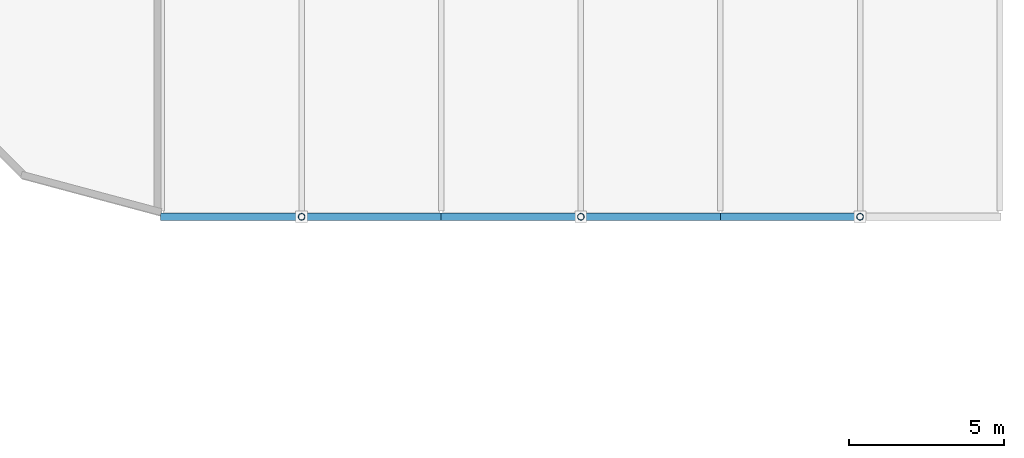
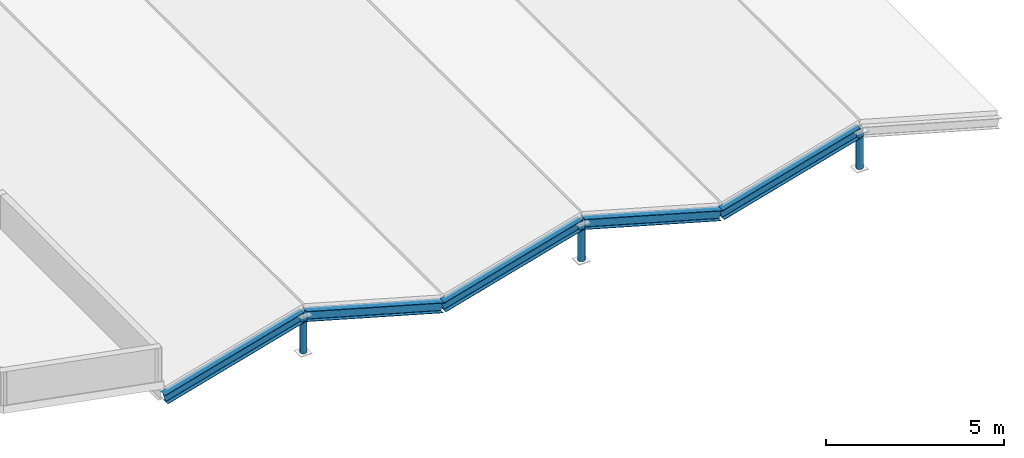
# One storey, part 8 of 40: 8 members.
"""IFC4 building model written with IfcOpenShell, lengths in metres."""

import ifcopenshell
import ifcopenshell.guid

model = None  # the IFC model being written
_history = None  # IfcOwnerHistory: only IFC2X3 demands one
_inside = {}  # id of a spatial element -> (the spatial element, [elements in it])
_under = {}  # id of a project, library or spatial element -> (it, [spatial elements below it])
_declared = {}  # id of a project -> (the project, [libraries it declares])
_typed = {}  # id of a type object -> (the type object, [elements of that type])
_made_of = {}  # id of a material, layer set ... -> (it, [elements and type objects made of it])


def new_model(schema):
    """Start an empty IFC model of exactly this schema.

    Asked for "IFC4X3", IfcOpenShell would pick the latest addendum, in which some entities
    have other attributes; the version numbers below select the first issue.
    IFC2X3 requires an IfcOwnerHistory on every rooted entity: one is made here for all.
    """
    global model, _history
    if schema == "IFC4X3":
        model = ifcopenshell.file(schema_version=(4, 3, 0, 0))
    else:
        model = ifcopenshell.file(schema=schema)
    _inside.clear()
    _under.clear()
    _declared.clear()
    _typed.clear()
    _made_of.clear()
    _history = None
    if model.schema == "IFC2X3":
        org = make("IfcOrganization", Name="unknown")
        user = make(
            "IfcPersonAndOrganization",
            ThePerson=make("IfcPerson", FamilyName="unknown"),
            TheOrganization=org,
        )
        app = make(
            "IfcApplication",
            ApplicationDeveloper=org,
            Version="unknown",
            ApplicationFullName="unknown",
            ApplicationIdentifier="unknown",
        )
        _history = make(
            "IfcOwnerHistory",
            OwningUser=user,
            OwningApplication=app,
            ChangeAction="ADDED",
            CreationDate=0,
        )
    return model


def make(cls, **values):
    """One entity of the class cls with the attributes given. An attribute that is None is left unset."""
    return model.create_entity(
        cls, **{name: value for name, value in values.items() if value is not None}
    )


def rooted(cls, **values):
    """An entity with a GlobalId (a new one), such as an element, a storey or a relation."""
    return make(cls, GlobalId=ifcopenshell.guid.new(), OwnerHistory=_history, **values)


def si_unit(unit_type, name, prefix=None):
    """IfcSIUnit, for example si_unit("LENGTHUNIT", "METRE", prefix="MILLI")."""
    return make("IfcSIUnit", UnitType=unit_type, Prefix=prefix, Name=name)


def assignment(units):
    """IfcUnitAssignment: the units of a project."""
    return None if units is None else make("IfcUnitAssignment", Units=units)


def point(xyz):
    """IfcCartesianPoint."""
    return None if xyz is None else make("IfcCartesianPoint", Coordinates=xyz)


def direction(xyz):
    """IfcDirection."""
    return None if xyz is None else make("IfcDirection", DirectionRatios=xyz)


def frame(location, z_axis=None, x_axis=None):
    """IfcAxis2Placement3D, a coordinate frame: its origin and axes. An axis left out is left unset."""
    return make(
        "IfcAxis2Placement3D",
        Location=point(location),
        Axis=direction(z_axis),
        RefDirection=direction(x_axis),
    )


def frame_2d(location, x_axis=None):
    """IfcAxis2Placement2D, a coordinate frame in the plane: its origin and x axis."""
    return make(
        "IfcAxis2Placement2D", Location=point(location), RefDirection=direction(x_axis)
    )


def origin():
    """The frame at (0, 0, 0) with its axes left unset."""
    return frame((0.0, 0.0, 0.0))


def origin_2d():
    """The frame at (0, 0) in the plane with its x axis left unset."""
    return frame_2d((0.0, 0.0))


def place(relative_to, where):
    """IfcLocalPlacement: puts the frame where relative to a parent placement (None: the world)."""
    return make(
        "IfcLocalPlacement", PlacementRelTo=relative_to, RelativePlacement=where
    )


def context(
    kind, dimensions, precision=None, world=None, true_north=None, identifier=None
):
    """IfcGeometricRepresentationContext, for example the 3D "Model" context."""
    return make(
        "IfcGeometricRepresentationContext",
        ContextIdentifier=identifier,
        ContextType=kind,
        CoordinateSpaceDimension=dimensions,
        Precision=precision,
        WorldCoordinateSystem=world,
        TrueNorth=true_north,
    )


def subcontext(parent, identifier, kind, view, scale=None):
    """IfcGeometricRepresentationSubContext, for example "Body" below "Model"."""
    return make(
        "IfcGeometricRepresentationSubContext",
        ContextIdentifier=identifier,
        ContextType=kind,
        ParentContext=parent,
        TargetScale=scale,
        TargetView=view,
    )


def project(units=None, contexts=None):
    """IfcProject with its units and contexts."""
    return rooted(
        "IfcProject",
        Name="project",
        RepresentationContexts=contexts,
        UnitsInContext=assignment(units),
    )


def spatial(cls, under=None, at=None, **own):
    """A site, building, storey or space (cls), placed at a placement, below another one or the project."""
    s = rooted(cls, ObjectPlacement=at, **own)
    if under is not None:
        _under.setdefault(under.id(), (under, []))[1].append(s)
    return s


def profile(cls, at=None, kind="AREA", **sizes):
    """A parametric profile (cls). Its sizes go by their IFC names, for example OverallWidth=200.0."""
    return make(cls, ProfileType=kind, Position=at, **sizes)


def hollow_circle(**sizes):
    """IfcCircleHollowProfileDef."""
    return profile("IfcCircleHollowProfileDef", **sizes)


def i_section(**sizes):
    """IfcIShapeProfileDef."""
    return profile("IfcIShapeProfileDef", **sizes)


def extrude(swept, where, along, depth):
    """IfcExtrudedAreaSolid: the profile swept, set in the frame where, extruded along a direction by depth."""
    return make(
        "IfcExtrudedAreaSolid",
        SweptArea=swept,
        Position=where,
        ExtrudedDirection=direction(along),
        Depth=depth,
    )


def shape(context_of_items, identifier, shape_type, items):
    """IfcShapeRepresentation: the items that make up one representation, for example the "Body"."""
    return make(
        "IfcShapeRepresentation",
        ContextOfItems=context_of_items,
        RepresentationIdentifier=identifier,
        RepresentationType=shape_type,
        Items=items,
    )


def material(Name=None, Category=None):
    """IfcMaterial."""
    return make("IfcMaterial", Name=Name, Category=Category)


def material_profile(
    of_material, cross_section, Name=None, Category=None, Priority=None
):
    """IfcMaterialProfile: a cross section and its material."""
    return make(
        "IfcMaterialProfile",
        Name=Name,
        Material=of_material,
        Profile=cross_section,
        Priority=Priority,
        Category=Category,
    )


def profile_set(profiles, Name=None, composite=None):
    """IfcMaterialProfileSet."""
    return make(
        "IfcMaterialProfileSet",
        Name=Name,
        MaterialProfiles=profiles,
        CompositeProfile=composite,
    )


def made_of(thing, what):
    """Note that an element or type object is made of a material, layer set ...; save() writes the relation."""
    if what is not None:
        _made_of.setdefault(what.id(), (what, []))[1].append(thing)
    return thing


def type_object(cls, material=None, **own):
    """A type object (cls), such as IfcWallType, which elements share."""
    return made_of(rooted(cls, **own), material)


def element(
    cls,
    number,
    at=None,
    inside=None,
    cuts=None,
    type_object=None,
    material=None,
    context=None,
    identifier="Body",
    shape_type=None,
    held_by="IfcProductDefinitionShape",
    body=None,
    shapes=None,
    **own,
):
    """One element of the class cls, such as IfcWall. Its Tag is "e" and its number.

    at: its placement. inside: the storey or other place that contains it. cuts: it is an
    opening in that element (IfcRelVoidsElement). A single representation is given by context,
    identifier, shape_type and body (its items); several are given by shapes. held_by: the class
    of the entity that holds the representations. save() writes the other relations.
    """
    e = rooted(cls, Tag="e%d" % number, ObjectPlacement=at, **own)
    if body is not None:
        shapes = [shape(context, identifier, shape_type, body)]
    if shapes is not None:
        e.Representation = make(held_by, Representations=shapes)
    if inside is not None:
        _inside.setdefault(inside.id(), (inside, []))[1].append(e)
    if cuts is not None:
        rooted(
            "IfcRelVoidsElement", RelatingBuildingElement=cuts, RelatedOpeningElement=e
        )
    if type_object is not None:
        _typed.setdefault(type_object.id(), (type_object, []))[1].append(e)
    return made_of(e, material)


def aggregate(whole, parts):
    """IfcRelAggregates: a whole, such as a stair, and the parts it consists of."""
    return rooted("IfcRelAggregates", RelatingObject=whole, RelatedObjects=parts)


def save(model, path):
    """Write the relations noted so far, then the file.

    IfcRelAggregates (storeys below a building ...), IfcRelContainedInSpatialStructure (elements
    in a storey), IfcRelDefinesByType, IfcRelAssociatesMaterial and IfcRelDeclares: one each for
    every whole, place, type object, material and project.
    """
    for whole, parts in _under.values():
        aggregate(whole, parts)
    for where, things in _inside.values():
        rooted(
            "IfcRelContainedInSpatialStructure",
            RelatedElements=things,
            RelatingStructure=where,
        )
    for kind, things in _typed.values():
        rooted("IfcRelDefinesByType", RelatedObjects=things, RelatingType=kind)
    for what, things in _made_of.values():
        rooted("IfcRelAssociatesMaterial", RelatedObjects=things, RelatingMaterial=what)
    for by, libraries in _declared.values():
        rooted("IfcRelDeclares", RelatingContext=by, RelatedDefinitions=libraries)
    model.write(path)


model = new_model("IFC4")

# Units and contexts
model_context = context("Model", 3, precision=1e-05, world=origin(), true_north=direction((0.0, 1.0)))
body_context = subcontext(model_context, "Body", "Model", "MODEL_VIEW")
ifc_project = project(units=[si_unit("LENGTHUNIT", "METRE"), si_unit("AREAUNIT", "SQUARE_METRE"), si_unit("VOLUMEUNIT", "CUBIC_METRE"), si_unit("PLANEANGLEUNIT", "RADIAN"), si_unit("MASSUNIT", "GRAM", prefix="KILO")], contexts=[model_context])

# Site, building, storey
site_placement = place(None, origin())
site = spatial("IfcSite", under=ifc_project, at=site_placement, CompositionType="ELEMENT")
building_placement = place(site_placement, origin())
building = spatial("IfcBuilding", under=site, at=building_placement, Name="Suzunagisa Mobility Hub", CompositionType="ELEMENT")
storey_placement = place(building_placement, frame((0.0, 0.0, 21.89990234375)))
storey = spatial("IfcBuildingStorey", under=building, at=storey_placement, Name="L05", CompositionType="ELEMENT", Elevation=21.89990234375)

# Members
ifc_material = material(Name="Steel SN400B", Category="steel")
ifc_material_profile_1 = material_profile(ifc_material, i_section(OverallWidth=0.25, OverallDepth=0.340087890625, WebThickness=0.009033203125, FlangeThickness=0.013916015625, FilletRadius=0.010009765625, at=origin_2d()), Name="H-340x250x9x14")
ifc_profile_set_1 = profile_set([ifc_material_profile_1], Name="Steel SN400B")
member_type_1 = type_object("IfcMemberType", Name="Roof Truss and Brace Member MB-11 H-340x250x9x14", PredefinedType="RAFTER", material=ifc_profile_set_1)
for number, where, z_axis, x_axis, name in (
    (1, (9.0, 80.0, -0.3798828125), (0.962514716328, 0.0, 0.271229461622), (0.0, 1.0, 0.0), "L05 Ramp Canopy Rafter 223"),
    (2, (18.0, 80.0, -0.3798828125), (-0.962514716328, 0.0, 0.271229461622), (0.0, -1.0, 0.0), "L05 Ramp Canopy Rafter 224"),
    (3, (18.0, 80.0, -0.3798828125), (0.962514716328, 0.0, 0.271229461622), (0.0, 1.0, 0.0), "L05 Ramp Canopy Rafter 233"),
    (4, (27.0, 80.0, -0.3798828125), (-0.962514716328, 0.0, 0.271229461622), (0.0, -1.0, 0.0), "L05 Ramp Canopy Rafter 234"),
    (5, (27.0, 80.0, -0.3798828125), (0.962514716328, 0.0, 0.271229461622), (0.0, 1.0, 0.0), "L05 Ramp Canopy Rafter 243"),
):
    element("IfcMember", number, at=place(storey_placement, frame(where, z_axis=z_axis, x_axis=x_axis)), inside=storey, type_object=member_type_1, Name=name, PredefinedType="RAFTER", context=body_context, shape_type="SweptSolid", body=[
        extrude(i_section(OverallWidth=0.25, OverallDepth=0.340087890625, WebThickness=0.009033203125, FlangeThickness=0.013916015625, FilletRadius=0.010009765625, at=origin_2d()), origin(), (0.0, 0.0, 1.0), 4.67529296875),
    ])
ifc_material_profile_2 = material_profile(ifc_material, hollow_circle(Radius=0.108154296875, WallThickness=0.00830078125, at=origin_2d()), Name="CHS-216.3x8.2")
ifc_profile_set_2 = profile_set([ifc_material_profile_2], Name="Steel SN400B")
member_type_2 = type_object("IfcMemberType", Name="Roof Truss and Brace Member MB-14 CHS-216.3x8.2", PredefinedType="POST", material=ifc_profile_set_2)
for number, where, z_axis, x_axis, name in (
    (6, (13.5, 80.0, -0.3798828125), (0.0, 0.0, 1.0), (1.0, 0.0, 0.0), "L05 Ramp Canopy Truss Post 222"),
    (7, (22.5, 80.0, -0.3798828125), (0.0, 0.0, 1.0), (1.0, 0.0, 0.0), "L05 Ramp Canopy Truss Post 232"),
    (8, (31.5, 80.0, -0.3798828125), (0.0, 0.0, 1.0), (1.0, 0.0, 0.0), "L05 Ramp Canopy Truss Post 242"),
):
    element("IfcMember", number, at=place(storey_placement, frame(where, z_axis=z_axis, x_axis=x_axis)), inside=storey, type_object=member_type_2, Name=name, PredefinedType="POST", context=body_context, shape_type="SweptSolid", body=[
        extrude(hollow_circle(Radius=0.108154296875, WallThickness=0.00830078125, at=origin_2d()), origin(), (0.0, 0.0, 1.0), 1.26806640625),
    ])

save(model, "model.ifc")
